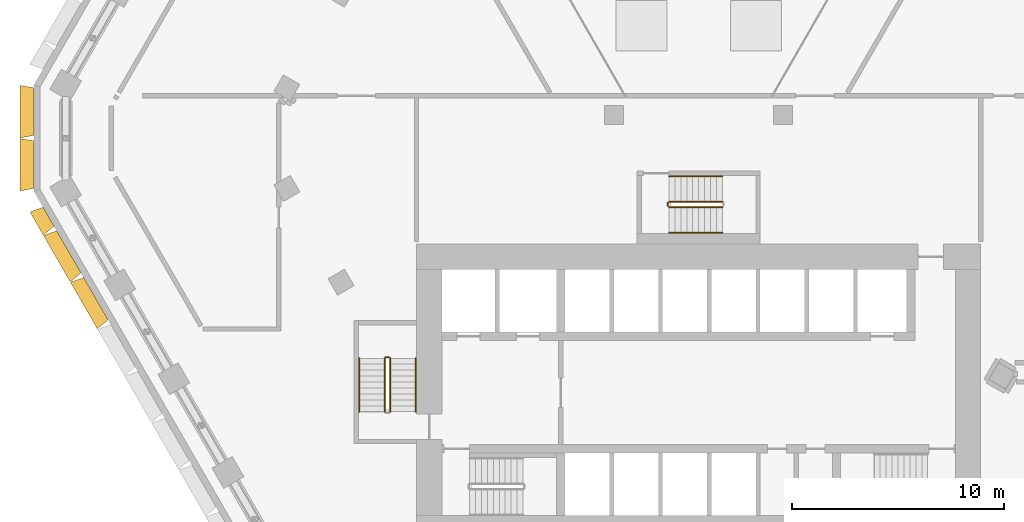
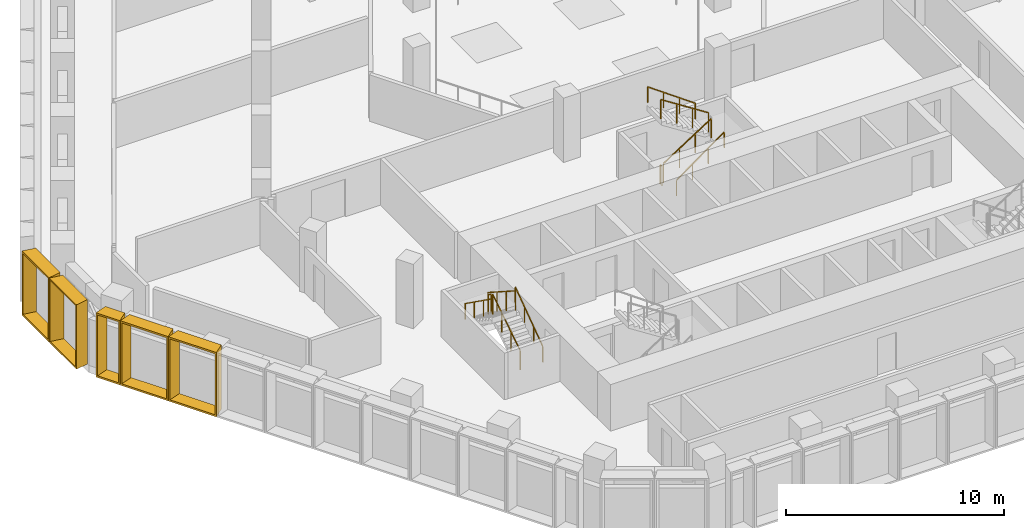
# One storey, part 20 of 22: 10 railings, 5 shading devices.
"""IFC4 building model written with IfcOpenShell, lengths in metres."""

from ifc_helpers import new_model, entity, si_unit, direction, frame, origin, origin_2d, place, context, subcontext, project, spatial, rectangle, extrude, source, transform, mapped, material, type_object, type_shapes, element, save


model = new_model("IFC4")

# Units and contexts
model_context = context("Model", 3, precision=1e-05, world=origin(), true_north=direction((0.0, 1.0)))
body_context = subcontext(model_context, "Body", "Model", "MODEL_VIEW")
ifc_project = project(units=[si_unit("LENGTHUNIT", "METRE"), si_unit("AREAUNIT", "SQUARE_METRE"), si_unit("VOLUMEUNIT", "CUBIC_METRE"), si_unit("PLANEANGLEUNIT", "RADIAN"), si_unit("MASSUNIT", "GRAM", prefix="KILO")], contexts=[model_context])

# Site, building, storey
site_placement = place(None, origin())
site = spatial("IfcSite", under=ifc_project, at=site_placement, CompositionType="ELEMENT")
building_placement = place(site_placement, origin())
building = spatial("IfcBuilding", under=site, at=building_placement, Name="Beryl Residences", CompositionType="ELEMENT")
storey_placement = place(building_placement, frame((0.0, 0.0, 62.39990234375)))
storey = spatial("IfcBuildingStorey", under=building, at=storey_placement, Name="L19", CompositionType="ELEMENT", Elevation=62.39990234375)

# Shading devices
ifc_material_1 = material(Name="Aluminium pale anodised", Category="aluminium")
shading_device_type_1 = type_object("IfcShadingDeviceType", Name="FR128-65A-H36 OUTER SKIN frame 650 mm deep, splay 10/10 deg, 1280 x 3600 mm cell", PredefinedType="USERDEFINED", material=ifc_material_1)
cartesian_point_1 = entity("IfcCartesianPoint", [-0.514892578125, 0.0])
cartesian_point_2 = entity("IfcCartesianPoint", [-0.433837890625, 0.10009765625])
cartesian_point_3 = entity("IfcCartesianPoint", [-0.629638671875, 0.0])
cartesian_point_4 = entity("IfcCartesianPoint", [-0.54833984375, 0.10009765625])
shared_shape_1 = source(origin(), body_context, "Body", "SweptSolid", [
    entity("IfcExtrudedAreaSolidTapered", entity("IfcArbitraryProfileDefWithVoids", "AREA", None, entity("IfcPolyline", [cartesian_point_1, entity("IfcCartesianPoint", [0.514892578125, 0.0]), entity("IfcCartesianPoint", [0.514892578125, 3.60009765625]), entity("IfcCartesianPoint", [-0.514892578125, 3.60009765625]), cartesian_point_1]), [entity("IfcPolyline", [cartesian_point_2, entity("IfcCartesianPoint", [0.433837890625, 0.10009765625]), entity("IfcCartesianPoint", [0.433837890625, 3.5]), entity("IfcCartesianPoint", [-0.433837890625, 3.5]), cartesian_point_2])]), entity("IfcAxis2Placement3D", entity("IfcCartesianPoint", [0.0, 0.0, 0.0]), entity("IfcDirection", [0.0, 1.0, 0.0]), entity("IfcDirection", [-1.0, 0.0, 0.0])), entity("IfcDirection", [0.0, 0.0, 1.0]), 0.64990234375, entity("IfcArbitraryProfileDefWithVoids", "AREA", None, entity("IfcPolyline", [cartesian_point_3, entity("IfcCartesianPoint", [0.629638671875, 0.0]), entity("IfcCartesianPoint", [0.629638671875, 3.60009765625]), entity("IfcCartesianPoint", [-0.629638671875, 3.60009765625]), cartesian_point_3]), [entity("IfcPolyline", [cartesian_point_4, entity("IfcCartesianPoint", [0.54833984375, 0.10009765625]), entity("IfcCartesianPoint", [0.54833984375, 3.5]), entity("IfcCartesianPoint", [-0.54833984375, 3.5]), cartesian_point_4])])),
])
type_shapes(shading_device_type_1, [shared_shape_1])
shading_device_placement = place(storey_placement, frame((-30.655029296875, -3.702880859375, 0.0), z_axis=(0.0, 0.0, 1.0), x_axis=(-0.5, 0.866025403784, 0.0)))
element("IfcShadingDevice", 1, at=shading_device_placement, inside=storey, type_object=shading_device_type_1, Name="FR128-65A-H36 frame L19 SW 1", ObjectType="OUTER SKIN", PredefinedType="USERDEFINED", context=body_context, shape_type="MappedRepresentation", body=[
    mapped(shared_shape_1, transform((0.0, 0.0, 0.0))),
])
ifc_material_2 = material(Name="Aluminium pale anodised", Category="aluminium")
shading_device_type_2 = type_object("IfcShadingDeviceType", Name="FR250-65A-H36 OUTER SKIN frame 650 mm deep, splay 10/10 deg, 2500 x 3600 mm cell", PredefinedType="USERDEFINED", material=ifc_material_2)
cartesian_point_5 = entity("IfcCartesianPoint", [-1.125, 0.0])
cartesian_point_6 = entity("IfcCartesianPoint", [-1.043701171875, 0.10009765625])
cartesian_point_7 = entity("IfcCartesianPoint", [-1.239501953125, 0.0])
cartesian_point_8 = entity("IfcCartesianPoint", [-1.158447265625, 0.10009765625])
shared_shape_2 = source(origin(), body_context, "Body", "SweptSolid", [
    entity("IfcExtrudedAreaSolidTapered", entity("IfcArbitraryProfileDefWithVoids", "AREA", None, entity("IfcPolyline", [cartesian_point_5, entity("IfcCartesianPoint", [1.125, 0.0]), entity("IfcCartesianPoint", [1.125, 3.60009765625]), entity("IfcCartesianPoint", [-1.125, 3.60009765625]), cartesian_point_5]), [entity("IfcPolyline", [cartesian_point_6, entity("IfcCartesianPoint", [1.043701171875, 0.10009765625]), entity("IfcCartesianPoint", [1.043701171875, 3.5]), entity("IfcCartesianPoint", [-1.043701171875, 3.5]), cartesian_point_6])]), entity("IfcAxis2Placement3D", entity("IfcCartesianPoint", [0.0, 0.0, 0.0]), entity("IfcDirection", [0.0, 1.0, 0.0]), entity("IfcDirection", [-1.0, 0.0, 0.0])), entity("IfcDirection", [0.0, 0.0, 1.0]), 0.64990234375, entity("IfcArbitraryProfileDefWithVoids", "AREA", None, entity("IfcPolyline", [cartesian_point_7, entity("IfcCartesianPoint", [1.239501953125, 0.0]), entity("IfcCartesianPoint", [1.239501953125, 3.60009765625]), entity("IfcCartesianPoint", [-1.239501953125, 3.60009765625]), cartesian_point_7]), [entity("IfcPolyline", [cartesian_point_8, entity("IfcCartesianPoint", [1.158447265625, 0.10009765625]), entity("IfcCartesianPoint", [1.158447265625, 3.5]), entity("IfcCartesianPoint", [-1.158447265625, 3.5]), cartesian_point_8])])),
])
type_shapes(shading_device_type_2, [shared_shape_2])
for number, where, z_axis, x_axis, name in (
    (2, (-31.35009765625, 1.25, 0.0), (0.0, 0.0, 1.0), (0.0, 1.0, 0.0), "FR250-65A-H36 frame L19 NW-SW 1"),
    (3, (-31.35009765625, -1.25, 0.0), (0.0, 0.0, 1.0), (0.0, 1.0, 0.0), "FR250-65A-H36 frame L19 NW-SW 2"),
):
    element("IfcShadingDevice", number, at=place(storey_placement, frame(where, z_axis=z_axis, x_axis=x_axis)), inside=storey, type_object=shading_device_type_2, Name=name, ObjectType="OUTER SKIN", PredefinedType="USERDEFINED", context=body_context, shape_type="MappedRepresentation", body=[
        mapped(shared_shape_2, transform((0.0, 0.0, 0.0))),
    ])
ifc_material_3 = material(Name="Aluminium pale anodised", Category="aluminium")
shading_device_type_3 = type_object("IfcShadingDeviceType", Name="FR255-65A-H36 OUTER SKIN frame 650 mm deep, splay 10/10 deg, 2550 x 3600 mm cell", PredefinedType="USERDEFINED", material=ifc_material_3)
cartesian_point_9 = entity("IfcCartesianPoint", [-1.14990234375, 0.0])
cartesian_point_10 = entity("IfcCartesianPoint", [-1.06884765625, 0.10009765625])
cartesian_point_11 = entity("IfcCartesianPoint", [-1.2646484375, 0.0])
cartesian_point_12 = entity("IfcCartesianPoint", [-1.183349609375, 0.10009765625])
shared_shape_3 = source(origin(), body_context, "Body", "SweptSolid", [
    entity("IfcExtrudedAreaSolidTapered", entity("IfcArbitraryProfileDefWithVoids", "AREA", None, entity("IfcPolyline", [cartesian_point_9, entity("IfcCartesianPoint", [1.14990234375, 0.0]), entity("IfcCartesianPoint", [1.14990234375, 3.60009765625]), entity("IfcCartesianPoint", [-1.14990234375, 3.60009765625]), cartesian_point_9]), [entity("IfcPolyline", [cartesian_point_10, entity("IfcCartesianPoint", [1.06884765625, 0.10009765625]), entity("IfcCartesianPoint", [1.06884765625, 3.5]), entity("IfcCartesianPoint", [-1.06884765625, 3.5]), cartesian_point_10])]), entity("IfcAxis2Placement3D", entity("IfcCartesianPoint", [0.0, 0.0, 0.0]), entity("IfcDirection", [0.0, 1.0, 0.0]), entity("IfcDirection", [-1.0, 0.0, 0.0])), entity("IfcDirection", [0.0, 0.0, 1.0]), 0.64990234375, entity("IfcArbitraryProfileDefWithVoids", "AREA", None, entity("IfcPolyline", [cartesian_point_11, entity("IfcCartesianPoint", [1.2646484375, 0.0]), entity("IfcCartesianPoint", [1.2646484375, 3.60009765625]), entity("IfcCartesianPoint", [-1.2646484375, 3.60009765625]), cartesian_point_11]), [entity("IfcPolyline", [cartesian_point_12, entity("IfcCartesianPoint", [1.183349609375, 0.10009765625]), entity("IfcCartesianPoint", [1.183349609375, 3.5]), entity("IfcCartesianPoint", [-1.183349609375, 3.5]), cartesian_point_12])])),
])
type_shapes(shading_device_type_3, [shared_shape_3])
for number, where, z_axis, x_axis, name in (
    (4, (-29.697998046875, -5.360107421875, 0.0), (0.0, 0.0, 1.0), (-0.5, 0.866025403784, 0.0), "FR255-65A-H36 frame L19 SW 2"),
    (5, (-28.422119140625, -7.570068359375, 0.0), (0.0, 0.0, 1.0), (-0.5, 0.866025403784, 0.0), "FR255-65A-H36 frame L19 SW 3"),
):
    element("IfcShadingDevice", number, at=place(storey_placement, frame(where, z_axis=z_axis, x_axis=x_axis)), inside=storey, type_object=shading_device_type_3, Name=name, ObjectType="OUTER SKIN", PredefinedType="USERDEFINED", context=body_context, shape_type="MappedRepresentation", body=[
        mapped(shared_shape_3, transform((0.0, 0.0, 0.0))),
    ])

# Railings
ifc_material_4 = material(Name="Stainless steel balustrade with glass infill", Category="steel")
railing_type_1 = type_object("IfcRailingType", Name="SG1 stair guard 1100 mm", PredefinedType="GUARDRAIL", material=ifc_material_4)
railing_1_placement = place(storey_placement, frame((-14.550048828125, -12.89990234375, 0.18017578125)))
element("IfcRailing", 6, at=railing_1_placement, inside=storey, type_object=railing_type_1, Name="L19 ST-2 stair guard 1", PredefinedType="GUARDRAIL", context=body_context, shape_type="SweptSolid", body=[
    extrude(rectangle(XDim=0.048095703125, YDim=0.048095703125, at=origin_2d()), frame((0.0, 0.0, 1.076171875), z_axis=(0.0, 0.841199657755, 0.540724639528), x_axis=(-1.0, 0.0, 0.0)), (0.0, 0.0, 1.0), 2.995849609375),
    extrude(rectangle(XDim=0.0419921875, YDim=0.0419921875, at=origin_2d()), origin(), (0.0, 0.0, 1.0), 1.052001953125),
    extrude(rectangle(XDim=0.0419921875, YDim=0.0419921875, at=origin_2d()), frame((0.0, 0.840087890625, 0.5400390625)), (0.0, 0.0, 1.0), 1.052001953125),
    extrude(rectangle(XDim=0.0419921875, YDim=0.0419921875, at=origin_2d()), frame((0.0, 1.679931640625, 1.079833984375)), (0.0, 0.0, 1.0), 1.052001953125),
    extrude(rectangle(XDim=0.0419921875, YDim=0.0419921875, at=origin_2d()), frame((0.0, 2.52001953125, 1.619873046875)), (0.0, 0.0, 1.0), 1.052001953125),
])
railing_2_placement = place(storey_placement, frame((-14.60009765625, -10.330078125, 1.800048828125)))
element("IfcRailing", 7, at=railing_2_placement, inside=storey, type_object=railing_type_1, Name="L19 ST-2 stair guard 2", PredefinedType="GUARDRAIL", context=body_context, shape_type="SweptSolid", body=[
    extrude(rectangle(XDim=0.048095703125, YDim=0.048095703125, at=origin_2d()), frame((0.0, 0.0, 1.076171875), z_axis=(-1.0, 0.0, 0.0), x_axis=(0.0, -1.0, 0.0)), (0.0, 0.0, 1.0), 0.14990234375),
    extrude(rectangle(XDim=0.0419921875, YDim=0.0419921875, at=origin_2d()), origin(), (0.0, 0.0, 1.0), 1.052001953125),
    extrude(rectangle(XDim=0.0419921875, YDim=0.0419921875, at=origin_2d()), frame((-0.14990234375, 0.0, 0.0)), (0.0, 0.0, 1.0), 1.052001953125),
])
railing_3_placement = place(storey_placement, frame((-14.800048828125, -10.3798828125, 1.97998046875)))
element("IfcRailing", 8, at=railing_3_placement, inside=storey, type_object=railing_type_1, Name="L19 ST-2 stair guard 3", PredefinedType="GUARDRAIL", context=body_context, shape_type="SweptSolid", body=[
    extrude(rectangle(XDim=0.048095703125, YDim=0.048095703125, at=origin_2d()), frame((0.0, 0.0, 1.076171875), z_axis=(0.0, -0.841162588446, 0.540782303519), x_axis=(1.0, 0.0, 0.0)), (0.0, 0.0, 1.0), 2.995849609375),
    extrude(rectangle(XDim=0.0419921875, YDim=0.0419921875, at=origin_2d()), origin(), (0.0, 0.0, 1.0), 1.052001953125),
    extrude(rectangle(XDim=0.0419921875, YDim=0.0419921875, at=origin_2d()), frame((0.0, -0.840087890625, 0.5400390625)), (0.0, 0.0, 1.0), 1.052001953125),
    extrude(rectangle(XDim=0.0419921875, YDim=0.0419921875, at=origin_2d()), frame((0.0, -1.679931640625, 1.080078125)), (0.0, 0.0, 1.0), 1.052001953125),
    extrude(rectangle(XDim=0.0419921875, YDim=0.0419921875, at=origin_2d()), frame((0.0, -2.52001953125, 1.6201171875)), (0.0, 0.0, 1.0), 1.052001953125),
])
railing_4_placement = place(storey_placement, frame((-1.39990234375, -3.25, 0.18017578125)))
element("IfcRailing", 9, at=railing_4_placement, inside=storey, type_object=railing_type_1, Name="L19 ST-4 stair guard 1", PredefinedType="GUARDRAIL", context=body_context, shape_type="SweptSolid", body=[
    extrude(rectangle(XDim=0.048095703125, YDim=0.048095703125, at=origin_2d()), frame((0.0, 0.0, 1.076171875), z_axis=(0.841199657755, 0.0, 0.540724639528), x_axis=(0.0, 1.0, 0.0)), (0.0, 0.0, 1.0), 2.995849609375),
    extrude(rectangle(XDim=0.0419921875, YDim=0.0419921875, at=origin_2d()), origin(), (0.0, 0.0, 1.0), 1.052001953125),
    extrude(rectangle(XDim=0.0419921875, YDim=0.0419921875, at=origin_2d()), frame((0.840087890625, 0.0, 0.5400390625)), (0.0, 0.0, 1.0), 1.052001953125),
    extrude(rectangle(XDim=0.0419921875, YDim=0.0419921875, at=origin_2d()), frame((1.679931640625, 0.0, 1.079833984375)), (0.0, 0.0, 1.0), 1.052001953125),
    extrude(rectangle(XDim=0.0419921875, YDim=0.0419921875, at=origin_2d()), frame((2.52001953125, 0.0, 1.619873046875)), (0.0, 0.0, 1.0), 1.052001953125),
])
railing_5_placement = place(storey_placement, frame((1.1201171875, -3.0, 1.97998046875)))
element("IfcRailing", 10, at=railing_5_placement, inside=storey, type_object=railing_type_1, Name="L19 ST-4 stair guard 3", PredefinedType="GUARDRAIL", context=body_context, shape_type="SweptSolid", body=[
    extrude(rectangle(XDim=0.048095703125, YDim=0.048095703125, at=origin_2d()), frame((0.0, 0.0, 1.076171875), z_axis=(-0.841162588446, 0.0, 0.540782303519), x_axis=(0.0, -1.0, 0.0)), (0.0, 0.0, 1.0), 2.995849609375),
    extrude(rectangle(XDim=0.0419921875, YDim=0.0419921875, at=origin_2d()), origin(), (0.0, 0.0, 1.0), 1.052001953125),
    extrude(rectangle(XDim=0.0419921875, YDim=0.0419921875, at=origin_2d()), frame((-0.840087890625, 0.0, 0.5400390625)), (0.0, 0.0, 1.0), 1.052001953125),
    extrude(rectangle(XDim=0.0419921875, YDim=0.0419921875, at=origin_2d()), frame((-1.679931640625, 0.0, 1.080078125)), (0.0, 0.0, 1.0), 1.052001953125),
    extrude(rectangle(XDim=0.0419921875, YDim=0.0419921875, at=origin_2d()), frame((-2.52001953125, 0.0, 1.6201171875)), (0.0, 0.0, 1.0), 1.052001953125),
])
railing_6_placement = place(storey_placement, frame((-1.449951171875, -3.199951171875, 0.0)))
element("IfcRailing", 11, at=railing_6_placement, inside=storey, type_object=railing_type_1, Name="L19 ST-4 stair guard 4", PredefinedType="GUARDRAIL", context=body_context, shape_type="SweptSolid", body=[
    extrude(rectangle(XDim=0.048095703125, YDim=0.048095703125, at=origin_2d()), frame((0.0, 0.0, 1.076171875), z_axis=(0.0, 1.0, 0.0), x_axis=(-1.0, 0.0, 0.0)), (0.0, 0.0, 1.0), 0.14990234375),
    extrude(rectangle(XDim=0.0419921875, YDim=0.0419921875, at=origin_2d()), origin(), (0.0, 0.0, 1.0), 1.052001953125),
    extrude(rectangle(XDim=0.0419921875, YDim=0.0419921875, at=origin_2d()), frame((0.0, 0.14990234375, 0.0)), (0.0, 0.0, 1.0), 1.052001953125),
])
ifc_material_5 = material(Name="Stainless steel handrail", Category="steel")
railing_type_2 = type_object("IfcRailingType", Name="SRL1 stair handrail 900 mm", PredefinedType="HANDRAIL", material=ifc_material_5)
railing_7_placement = place(storey_placement, frame((-13.35009765625, -12.89990234375, 0.18017578125)))
element("IfcRailing", 12, at=railing_7_placement, inside=storey, type_object=railing_type_2, Name="L19 ST-2 stair handrail 1", PredefinedType="HANDRAIL", context=body_context, shape_type="SweptSolid", body=[
    extrude(rectangle(XDim=0.048095703125, YDim=0.048095703125, at=origin_2d()), frame((0.0, 0.0, 0.8759765625), z_axis=(0.0, 0.813765431312, 0.581193446971), x_axis=(-1.0, 0.0, 0.0)), (0.0, 0.0, 1.0), 3.0966796875),
    extrude(rectangle(XDim=0.0419921875, YDim=0.0419921875, at=origin_2d()), origin(), (0.0, 0.0, 1.0), 0.851806640625),
    extrude(rectangle(XDim=0.0419921875, YDim=0.0419921875, at=origin_2d()), frame((0.0, 0.840087890625, 0.599853515625)), (0.0, 0.0, 1.0), 0.851806640625),
    extrude(rectangle(XDim=0.0419921875, YDim=0.0419921875, at=origin_2d()), frame((0.0, 1.679931640625, 1.199951171875)), (0.0, 0.0, 1.0), 0.851806640625),
    extrude(rectangle(XDim=0.0419921875, YDim=0.0419921875, at=origin_2d()), frame((0.0, 2.52001953125, 1.7998046875)), (0.0, 0.0, 1.0), 0.851806640625),
])
railing_8_placement = place(storey_placement, frame((-16.0, -10.3798828125, 1.97998046875)))
element("IfcRailing", 13, at=railing_8_placement, inside=storey, type_object=railing_type_2, Name="L19 ST-2 stair handrail 2", PredefinedType="HANDRAIL", context=body_context, shape_type="SweptSolid", body=[
    extrude(rectangle(XDim=0.048095703125, YDim=0.048095703125, at=origin_2d()), frame((0.0, 0.0, 0.8759765625), z_axis=(0.0, -0.813728144527, 0.581245650998), x_axis=(1.0, 0.0, 0.0)), (0.0, 0.0, 1.0), 3.096923828125),
    extrude(rectangle(XDim=0.0419921875, YDim=0.0419921875, at=origin_2d()), origin(), (0.0, 0.0, 1.0), 0.851806640625),
    extrude(rectangle(XDim=0.0419921875, YDim=0.0419921875, at=origin_2d()), frame((0.0, -0.840087890625, 0.60009765625)), (0.0, 0.0, 1.0), 0.851806640625),
    extrude(rectangle(XDim=0.0419921875, YDim=0.0419921875, at=origin_2d()), frame((0.0, -1.679931640625, 1.199951171875)), (0.0, 0.0, 1.0), 0.851806640625),
    extrude(rectangle(XDim=0.0419921875, YDim=0.0419921875, at=origin_2d()), frame((0.0, -2.52001953125, 1.800048828125)), (0.0, 0.0, 1.0), 0.851806640625),
])
railing_9_placement = place(storey_placement, frame((-1.39990234375, -4.449951171875, 0.18017578125)))
element("IfcRailing", 14, at=railing_9_placement, inside=storey, type_object=railing_type_2, Name="L19 ST-4 stair handrail 1", PredefinedType="HANDRAIL", context=body_context, shape_type="SweptSolid", body=[
    extrude(rectangle(XDim=0.048095703125, YDim=0.048095703125, at=origin_2d()), frame((0.0, 0.0, 0.8759765625), z_axis=(0.813765431312, 0.0, 0.581193446971), x_axis=(0.0, 1.0, 0.0)), (0.0, 0.0, 1.0), 3.0966796875),
    extrude(rectangle(XDim=0.0419921875, YDim=0.0419921875, at=origin_2d()), origin(), (0.0, 0.0, 1.0), 0.851806640625),
    extrude(rectangle(XDim=0.0419921875, YDim=0.0419921875, at=origin_2d()), frame((0.840087890625, 0.0, 0.599853515625)), (0.0, 0.0, 1.0), 0.851806640625),
    extrude(rectangle(XDim=0.0419921875, YDim=0.0419921875, at=origin_2d()), frame((1.679931640625, 0.0, 1.199951171875)), (0.0, 0.0, 1.0), 0.851806640625),
    extrude(rectangle(XDim=0.0419921875, YDim=0.0419921875, at=origin_2d()), frame((2.52001953125, 0.0, 1.7998046875)), (0.0, 0.0, 1.0), 0.851806640625),
])
railing_10_placement = place(storey_placement, frame((1.1201171875, -1.800048828125, 1.97998046875)))
element("IfcRailing", 15, at=railing_10_placement, inside=storey, type_object=railing_type_2, Name="L19 ST-4 stair handrail 2", PredefinedType="HANDRAIL", context=body_context, shape_type="SweptSolid", body=[
    extrude(rectangle(XDim=0.048095703125, YDim=0.048095703125, at=origin_2d()), frame((0.0, 0.0, 0.8759765625), z_axis=(-0.813728144527, 0.0, 0.581245650998), x_axis=(0.0, -1.0, 0.0)), (0.0, 0.0, 1.0), 3.096923828125),
    extrude(rectangle(XDim=0.0419921875, YDim=0.0419921875, at=origin_2d()), origin(), (0.0, 0.0, 1.0), 0.851806640625),
    extrude(rectangle(XDim=0.0419921875, YDim=0.0419921875, at=origin_2d()), frame((-0.840087890625, 0.0, 0.60009765625)), (0.0, 0.0, 1.0), 0.851806640625),
    extrude(rectangle(XDim=0.0419921875, YDim=0.0419921875, at=origin_2d()), frame((-1.679931640625, 0.0, 1.199951171875)), (0.0, 0.0, 1.0), 0.851806640625),
    extrude(rectangle(XDim=0.0419921875, YDim=0.0419921875, at=origin_2d()), frame((-2.52001953125, 0.0, 1.800048828125)), (0.0, 0.0, 1.0), 0.851806640625),
])

save(model, "model.ifc")
